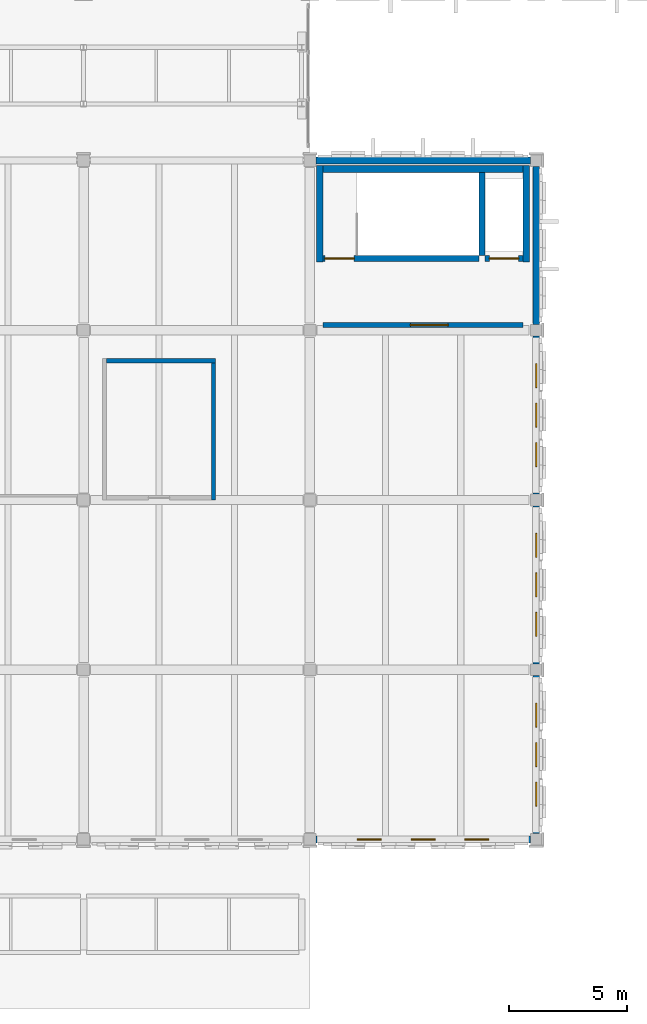
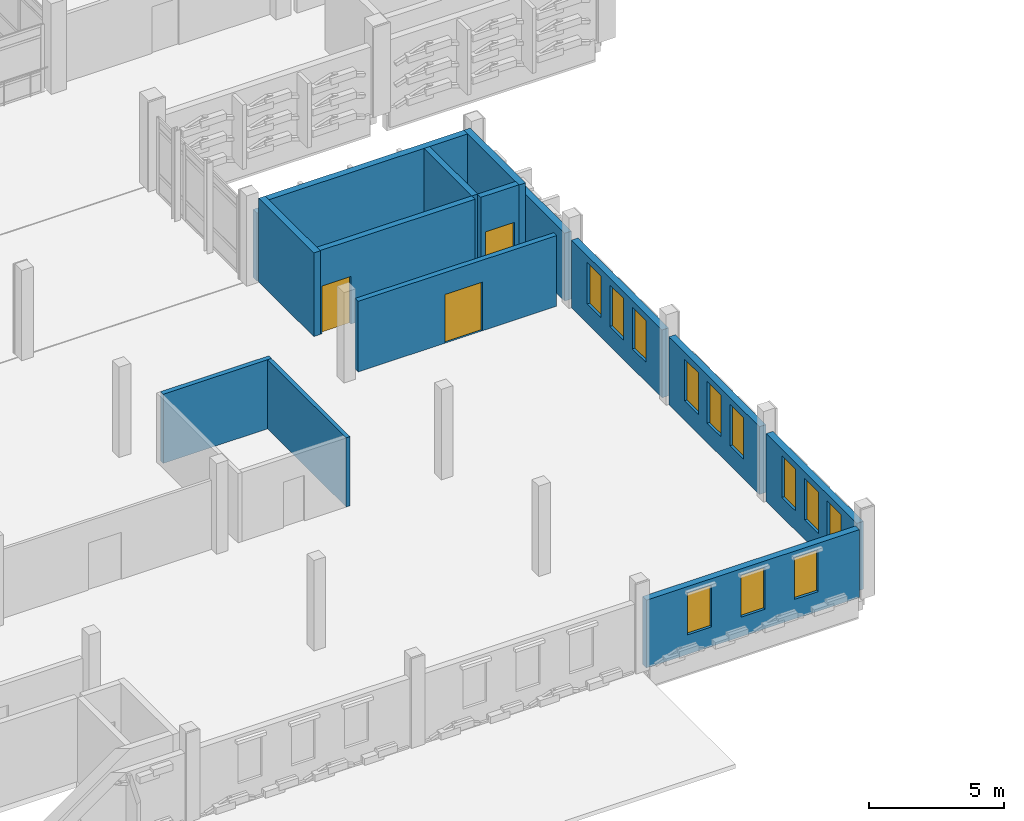
# One storey, part 54 of 72: 15 walls, 12 windows, 3 doors, 15 openings.
"""IFC4 building model written with IfcOpenShell, lengths in metres."""

from ifc_helpers import new_model, si_unit, direction, frame, frame_2d, origin, place, context, subcontext, project, spatial, rectangle, extrude, material, layer, layer_set, type_object, element, fill, save


model = new_model("IFC4")

# Units and contexts
model_context = context("Model", 3, precision=1e-05, world=origin(), true_north=direction((0.0, 1.0)))
body_context = subcontext(model_context, "Body", "Model", "MODEL_VIEW")
ifc_project = project(units=[si_unit("LENGTHUNIT", "METRE"), si_unit("AREAUNIT", "SQUARE_METRE"), si_unit("VOLUMEUNIT", "CUBIC_METRE"), si_unit("PLANEANGLEUNIT", "RADIAN"), si_unit("MASSUNIT", "GRAM", prefix="KILO")], contexts=[model_context])

# Site, building, storey
site_placement = place(None, origin())
site = spatial("IfcSite", under=ifc_project, at=site_placement, CompositionType="ELEMENT")
building_placement = place(site_placement, origin())
building = spatial("IfcBuilding", under=site, at=building_placement, Name="Asteropetra Specialist Clinic", CompositionType="ELEMENT")
storey_placement = place(building_placement, frame((0.0, 0.0, 12.580078125)))
storey = spatial("IfcBuildingStorey", under=building, at=storey_placement, Name="L03", CompositionType="ELEMENT", Elevation=12.580078125)

# Wall, openings, windows
ifc_material_1 = material(Name="Chevron limestone", Category="masonry")
ifc_layer_1 = layer(ifc_material_1, 0.284912109375)
ifc_layer_set_1 = layer_set([ifc_layer_1], Name="Chevron limestone")
wall_type_1 = type_object("IfcWallType", Name="EW-CHEV-OCH-285", PredefinedType="SOLIDWALL", material=ifc_layer_set_1)
wall_1_placement = place(storey_placement, frame((29.050048828125, 33.60009765625, 0.0), z_axis=(0.0, 0.0, 1.0), x_axis=(1.0, 0.0, 0.0)))
wall_1 = element("IfcWall", 1, at=wall_1_placement, inside=storey, type_object=wall_type_1, Name="Exterior Wall EW-0183", PredefinedType="SOLIDWALL", context=body_context, shape_type="SweptSolid", body=[
    extrude(rectangle(XDim=9.099853515625, YDim=0.284912109375, at=frame_2d((4.5498046875, 0.0))), origin(), (0.0, 0.0, 1.0), 3.059814453125),
])
opening_1_placement = place(wall_1_placement, frame((1.764892578125, 0.0, 0.8798828125)))
opening_1 = element("IfcOpeningElement", 2, at=opening_1_placement, cuts=wall_1, Name="Opening W-0131", PredefinedType="OPENING", context=body_context, shape_type="SweptSolid", body=[
    extrude(rectangle(XDim=1.02001953125, YDim=1.8798828125, at=frame_2d((0.510009765625, 0.93994140625))), frame((0.0, 0.15234375, 0.0), z_axis=(0.0, -1.0, 0.0), x_axis=(1.0, 0.0, 0.0)), (0.0, 0.0, 1.0), 0.304931640625),
])
opening_2_placement = place(wall_1_placement, frame((4.0400390625, 0.0, 0.8798828125)))
opening_2 = element("IfcOpeningElement", 3, at=opening_2_placement, cuts=wall_1, Name="Opening W-0132", PredefinedType="OPENING", context=body_context, shape_type="SweptSolid", body=[
    extrude(rectangle(XDim=1.02001953125, YDim=1.8798828125, at=frame_2d((0.510009765625, 0.93994140625))), frame((0.0, 0.15234375, 0.0), z_axis=(0.0, -1.0, 0.0), x_axis=(1.0, 0.0, 0.0)), (0.0, 0.0, 1.0), 0.304931640625),
])
opening_3_placement = place(wall_1_placement, frame((6.31494140625, 0.0, 0.8798828125)))
opening_3 = element("IfcOpeningElement", 4, at=opening_3_placement, cuts=wall_1, Name="Opening W-0133", PredefinedType="OPENING", context=body_context, shape_type="SweptSolid", body=[
    extrude(rectangle(XDim=1.02001953125, YDim=1.8798828125, at=frame_2d((0.510009765625, 0.93994140625))), frame((0.0, 0.15234375, 0.0), z_axis=(0.0, -1.0, 0.0), x_axis=(1.0, 0.0, 0.0)), (0.0, 0.0, 1.0), 0.304931640625),
])
ifc_material_2 = material(Name="Thermally broken bronze aluminium and low-E glass", Category="aluminium")
window_type = type_object("IfcWindowType", Name="WIN-T31", PartitioningType="SINGLE_PANEL", PredefinedType="WINDOW", material=ifc_material_2)
window_1_placement = place(opening_1_placement, origin())
window_1 = element("IfcWindow", 5, at=window_1_placement, inside=storey, type_object=window_type, Name="Window W-0131", OverallHeight=1.8798828125, OverallWidth=1.02001953125, PartitioningType="SINGLE_PANEL", PredefinedType="WINDOW", context=body_context, shape_type="SweptSolid", body=[
    extrude(rectangle(XDim=1.02001953125, YDim=1.8798828125, at=frame_2d((0.510009765625, 0.93994140625))), frame((0.0, 0.030029296875, 0.0), z_axis=(0.0, -1.0, 0.0), x_axis=(1.0, 0.0, 0.0)), (0.0, 0.0, 1.0), 0.06005859375),
])
fill(opening_1, window_1)
window_2_placement = place(opening_2_placement, origin())
window_2 = element("IfcWindow", 6, at=window_2_placement, inside=storey, type_object=window_type, Name="Window W-0132", OverallHeight=1.8798828125, OverallWidth=1.02001953125, PartitioningType="SINGLE_PANEL", PredefinedType="WINDOW", context=body_context, shape_type="SweptSolid", body=[
    extrude(rectangle(XDim=1.02001953125, YDim=1.8798828125, at=frame_2d((0.510009765625, 0.93994140625))), frame((0.0, 0.030029296875, 0.0), z_axis=(0.0, -1.0, 0.0), x_axis=(1.0, 0.0, 0.0)), (0.0, 0.0, 1.0), 0.06005859375),
])
fill(opening_2, window_2)
window_3_placement = place(opening_3_placement, origin())
window_3 = element("IfcWindow", 7, at=window_3_placement, inside=storey, type_object=window_type, Name="Window W-0133", OverallHeight=1.8798828125, OverallWidth=1.02001953125, PartitioningType="SINGLE_PANEL", PredefinedType="WINDOW", context=body_context, shape_type="SweptSolid", body=[
    extrude(rectangle(XDim=1.02001953125, YDim=1.8798828125, at=frame_2d((0.510009765625, 0.93994140625))), frame((0.0, 0.030029296875, 0.0), z_axis=(0.0, -1.0, 0.0), x_axis=(1.0, 0.0, 0.0)), (0.0, 0.0, 1.0), 0.06005859375),
])
fill(opening_3, window_3)

# Wall
wall_2_placement = place(storey_placement, frame((38.14990234375, 62.39990234375, 0.0), z_axis=(0.0, 0.0, 1.0), x_axis=(-1.0, 0.0, 0.0)))
element("IfcWall", 8, at=wall_2_placement, inside=storey, type_object=wall_type_1, Name="Exterior Wall EW-0184", PredefinedType="SOLIDWALL", context=body_context, shape_type="SweptSolid", body=[
    extrude(rectangle(XDim=9.099853515625, YDim=0.284912109375, at=frame_2d((4.5498046875, 0.0))), origin(), (0.0, 0.0, 1.0), 3.059814453125),
])

# Wall, openings, windows
wall_3_placement = place(storey_placement, frame((38.39990234375, 33.85009765625, 0.0), z_axis=(0.0, 0.0, 1.0), x_axis=(0.0, 1.0, 0.0)))
wall_3 = element("IfcWall", 9, at=wall_3_placement, inside=storey, type_object=wall_type_1, Name="Exterior Wall EW-0186", PredefinedType="SOLIDWALL", context=body_context, shape_type="SweptSolid", body=[
    extrude(rectangle(XDim=6.699951171875, YDim=0.284912109375, at=frame_2d((3.35009765625, 0.0))), origin(), (0.0, 0.0, 1.0), 3.059814453125),
])
opening_4_placement = place(wall_3_placement, frame((1.1650390625, 0.0, 0.8798828125)))
opening_4 = element("IfcOpeningElement", 10, at=opening_4_placement, cuts=wall_3, Name="Opening W-0134", PredefinedType="OPENING", context=body_context, shape_type="SweptSolid", body=[
    extrude(rectangle(XDim=1.02001953125, YDim=1.8798828125, at=frame_2d((0.510009765625, 0.93994140625))), frame((0.0, 0.15234375, 0.0), z_axis=(0.0, -1.0, 0.0), x_axis=(1.0, 0.0, 0.0)), (0.0, 0.0, 1.0), 0.304931640625),
])
opening_5_placement = place(wall_3_placement, frame((2.840087890625, 0.0, 0.8798828125)))
opening_5 = element("IfcOpeningElement", 11, at=opening_5_placement, cuts=wall_3, Name="Opening W-0135", PredefinedType="OPENING", context=body_context, shape_type="SweptSolid", body=[
    extrude(rectangle(XDim=1.02001953125, YDim=1.8798828125, at=frame_2d((0.510009765625, 0.93994140625))), frame((0.0, 0.15234375, 0.0), z_axis=(0.0, -1.0, 0.0), x_axis=(1.0, 0.0, 0.0)), (0.0, 0.0, 1.0), 0.304931640625),
])
opening_6_placement = place(wall_3_placement, frame((4.514892578125, 0.0, 0.8798828125)))
opening_6 = element("IfcOpeningElement", 12, at=opening_6_placement, cuts=wall_3, Name="Opening W-0136", PredefinedType="OPENING", context=body_context, shape_type="SweptSolid", body=[
    extrude(rectangle(XDim=1.02001953125, YDim=1.8798828125, at=frame_2d((0.510009765625, 0.93994140625))), frame((0.0, 0.15234375, 0.0), z_axis=(0.0, -1.0, 0.0), x_axis=(1.0, 0.0, 0.0)), (0.0, 0.0, 1.0), 0.304931640625),
])
window_4_placement = place(opening_4_placement, origin())
window_4 = element("IfcWindow", 13, at=window_4_placement, inside=storey, type_object=window_type, Name="Window W-0134", OverallHeight=1.8798828125, OverallWidth=1.02001953125, PartitioningType="SINGLE_PANEL", PredefinedType="WINDOW", context=body_context, shape_type="SweptSolid", body=[
    extrude(rectangle(XDim=1.02001953125, YDim=1.8798828125, at=frame_2d((0.510009765625, 0.93994140625))), frame((0.0, 0.030029296875, 0.0), z_axis=(0.0, -1.0, 0.0), x_axis=(1.0, 0.0, 0.0)), (0.0, 0.0, 1.0), 0.06005859375),
])
fill(opening_4, window_4)
window_5_placement = place(opening_5_placement, origin())
window_5 = element("IfcWindow", 14, at=window_5_placement, inside=storey, type_object=window_type, Name="Window W-0135", OverallHeight=1.8798828125, OverallWidth=1.02001953125, PartitioningType="SINGLE_PANEL", PredefinedType="WINDOW", context=body_context, shape_type="SweptSolid", body=[
    extrude(rectangle(XDim=1.02001953125, YDim=1.8798828125, at=frame_2d((0.510009765625, 0.93994140625))), frame((0.0, 0.030029296875, 0.0), z_axis=(0.0, -1.0, 0.0), x_axis=(1.0, 0.0, 0.0)), (0.0, 0.0, 1.0), 0.06005859375),
])
fill(opening_5, window_5)
window_6_placement = place(opening_6_placement, origin())
window_6 = element("IfcWindow", 15, at=window_6_placement, inside=storey, type_object=window_type, Name="Window W-0136", OverallHeight=1.8798828125, OverallWidth=1.02001953125, PartitioningType="SINGLE_PANEL", PredefinedType="WINDOW", context=body_context, shape_type="SweptSolid", body=[
    extrude(rectangle(XDim=1.02001953125, YDim=1.8798828125, at=frame_2d((0.510009765625, 0.93994140625))), frame((0.0, 0.030029296875, 0.0), z_axis=(0.0, -1.0, 0.0), x_axis=(1.0, 0.0, 0.0)), (0.0, 0.0, 1.0), 0.06005859375),
])
fill(opening_6, window_6)

wall_4_placement = place(storey_placement, frame((38.39990234375, 41.050048828125, 0.0), z_axis=(0.0, 0.0, 1.0), x_axis=(0.0, 1.0, 0.0)))
wall_4 = element("IfcWall", 16, at=wall_4_placement, inside=storey, type_object=wall_type_1, Name="Exterior Wall EW-0188", PredefinedType="SOLIDWALL", context=body_context, shape_type="SweptSolid", body=[
    extrude(rectangle(XDim=6.699951171875, YDim=0.284912109375, at=frame_2d((3.35009765625, 0.0))), origin(), (0.0, 0.0, 1.0), 3.059814453125),
])
opening_7_placement = place(wall_4_placement, frame((1.1650390625, 0.0, 0.8798828125)))
opening_7 = element("IfcOpeningElement", 17, at=opening_7_placement, cuts=wall_4, Name="Opening W-0140", PredefinedType="OPENING", context=body_context, shape_type="SweptSolid", body=[
    extrude(rectangle(XDim=1.02001953125, YDim=1.8798828125, at=frame_2d((0.510009765625, 0.93994140625))), frame((0.0, 0.15234375, 0.0), z_axis=(0.0, -1.0, 0.0), x_axis=(1.0, 0.0, 0.0)), (0.0, 0.0, 1.0), 0.304931640625),
])
opening_8_placement = place(wall_4_placement, frame((2.840087890625, 0.0, 0.8798828125)))
opening_8 = element("IfcOpeningElement", 18, at=opening_8_placement, cuts=wall_4, Name="Opening W-0141", PredefinedType="OPENING", context=body_context, shape_type="SweptSolid", body=[
    extrude(rectangle(XDim=1.02001953125, YDim=1.8798828125, at=frame_2d((0.510009765625, 0.93994140625))), frame((0.0, 0.15234375, 0.0), z_axis=(0.0, -1.0, 0.0), x_axis=(1.0, 0.0, 0.0)), (0.0, 0.0, 1.0), 0.304931640625),
])
opening_9_placement = place(wall_4_placement, frame((4.514892578125, 0.0, 0.8798828125)))
opening_9 = element("IfcOpeningElement", 19, at=opening_9_placement, cuts=wall_4, Name="Opening W-0142", PredefinedType="OPENING", context=body_context, shape_type="SweptSolid", body=[
    extrude(rectangle(XDim=1.02001953125, YDim=1.8798828125, at=frame_2d((0.510009765625, 0.93994140625))), frame((0.0, 0.15234375, 0.0), z_axis=(0.0, -1.0, 0.0), x_axis=(1.0, 0.0, 0.0)), (0.0, 0.0, 1.0), 0.304931640625),
])
window_7_placement = place(opening_7_placement, origin())
window_7 = element("IfcWindow", 20, at=window_7_placement, inside=storey, type_object=window_type, Name="Window W-0140", OverallHeight=1.8798828125, OverallWidth=1.02001953125, PartitioningType="SINGLE_PANEL", PredefinedType="WINDOW", context=body_context, shape_type="SweptSolid", body=[
    extrude(rectangle(XDim=1.02001953125, YDim=1.8798828125, at=frame_2d((0.510009765625, 0.93994140625))), frame((0.0, 0.030029296875, 0.0), z_axis=(0.0, -1.0, 0.0), x_axis=(1.0, 0.0, 0.0)), (0.0, 0.0, 1.0), 0.06005859375),
])
fill(opening_7, window_7)
window_8_placement = place(opening_8_placement, origin())
window_8 = element("IfcWindow", 21, at=window_8_placement, inside=storey, type_object=window_type, Name="Window W-0141", OverallHeight=1.8798828125, OverallWidth=1.02001953125, PartitioningType="SINGLE_PANEL", PredefinedType="WINDOW", context=body_context, shape_type="SweptSolid", body=[
    extrude(rectangle(XDim=1.02001953125, YDim=1.8798828125, at=frame_2d((0.510009765625, 0.93994140625))), frame((0.0, 0.030029296875, 0.0), z_axis=(0.0, -1.0, 0.0), x_axis=(1.0, 0.0, 0.0)), (0.0, 0.0, 1.0), 0.06005859375),
])
fill(opening_8, window_8)
window_9_placement = place(opening_9_placement, origin())
window_9 = element("IfcWindow", 22, at=window_9_placement, inside=storey, type_object=window_type, Name="Window W-0142", OverallHeight=1.8798828125, OverallWidth=1.02001953125, PartitioningType="SINGLE_PANEL", PredefinedType="WINDOW", context=body_context, shape_type="SweptSolid", body=[
    extrude(rectangle(XDim=1.02001953125, YDim=1.8798828125, at=frame_2d((0.510009765625, 0.93994140625))), frame((0.0, 0.030029296875, 0.0), z_axis=(0.0, -1.0, 0.0), x_axis=(1.0, 0.0, 0.0)), (0.0, 0.0, 1.0), 0.06005859375),
])
fill(opening_9, window_9)

wall_5_placement = place(storey_placement, frame((38.39990234375, 48.25, 0.0), z_axis=(0.0, 0.0, 1.0), x_axis=(0.0, 1.0, 0.0)))
wall_5 = element("IfcWall", 23, at=wall_5_placement, inside=storey, type_object=wall_type_1, Name="Exterior Wall EW-0190", PredefinedType="SOLIDWALL", context=body_context, shape_type="SweptSolid", body=[
    extrude(rectangle(XDim=6.699951171875, YDim=0.284912109375, at=frame_2d((3.35009765625, 0.0))), origin(), (0.0, 0.0, 1.0), 3.059814453125),
])
opening_10_placement = place(wall_5_placement, frame((1.1650390625, 0.0, 0.8798828125)))
opening_10 = element("IfcOpeningElement", 24, at=opening_10_placement, cuts=wall_5, Name="Opening W-0146", PredefinedType="OPENING", context=body_context, shape_type="SweptSolid", body=[
    extrude(rectangle(XDim=1.02001953125, YDim=1.8798828125, at=frame_2d((0.510009765625, 0.93994140625))), frame((0.0, 0.15234375, 0.0), z_axis=(0.0, -1.0, 0.0), x_axis=(1.0, 0.0, 0.0)), (0.0, 0.0, 1.0), 0.304931640625),
])
opening_11_placement = place(wall_5_placement, frame((2.840087890625, 0.0, 0.8798828125)))
opening_11 = element("IfcOpeningElement", 25, at=opening_11_placement, cuts=wall_5, Name="Opening W-0147", PredefinedType="OPENING", context=body_context, shape_type="SweptSolid", body=[
    extrude(rectangle(XDim=1.02001953125, YDim=1.8798828125, at=frame_2d((0.510009765625, 0.93994140625))), frame((0.0, 0.15234375, 0.0), z_axis=(0.0, -1.0, 0.0), x_axis=(1.0, 0.0, 0.0)), (0.0, 0.0, 1.0), 0.304931640625),
])
opening_12_placement = place(wall_5_placement, frame((4.514892578125, 0.0, 0.8798828125)))
opening_12 = element("IfcOpeningElement", 26, at=opening_12_placement, cuts=wall_5, Name="Opening W-0148", PredefinedType="OPENING", context=body_context, shape_type="SweptSolid", body=[
    extrude(rectangle(XDim=1.02001953125, YDim=1.8798828125, at=frame_2d((0.510009765625, 0.93994140625))), frame((0.0, 0.15234375, 0.0), z_axis=(0.0, -1.0, 0.0), x_axis=(1.0, 0.0, 0.0)), (0.0, 0.0, 1.0), 0.304931640625),
])
window_10_placement = place(opening_10_placement, origin())
window_10 = element("IfcWindow", 27, at=window_10_placement, inside=storey, type_object=window_type, Name="Window W-0146", OverallHeight=1.8798828125, OverallWidth=1.02001953125, PartitioningType="SINGLE_PANEL", PredefinedType="WINDOW", context=body_context, shape_type="SweptSolid", body=[
    extrude(rectangle(XDim=1.02001953125, YDim=1.8798828125, at=frame_2d((0.510009765625, 0.93994140625))), frame((0.0, 0.030029296875, 0.0), z_axis=(0.0, -1.0, 0.0), x_axis=(1.0, 0.0, 0.0)), (0.0, 0.0, 1.0), 0.06005859375),
])
fill(opening_10, window_10)
window_11_placement = place(opening_11_placement, origin())
window_11 = element("IfcWindow", 28, at=window_11_placement, inside=storey, type_object=window_type, Name="Window W-0147", OverallHeight=1.8798828125, OverallWidth=1.02001953125, PartitioningType="SINGLE_PANEL", PredefinedType="WINDOW", context=body_context, shape_type="SweptSolid", body=[
    extrude(rectangle(XDim=1.02001953125, YDim=1.8798828125, at=frame_2d((0.510009765625, 0.93994140625))), frame((0.0, 0.030029296875, 0.0), z_axis=(0.0, -1.0, 0.0), x_axis=(1.0, 0.0, 0.0)), (0.0, 0.0, 1.0), 0.06005859375),
])
fill(opening_11, window_11)
window_12_placement = place(opening_12_placement, origin())
window_12 = element("IfcWindow", 29, at=window_12_placement, inside=storey, type_object=window_type, Name="Window W-0148", OverallHeight=1.8798828125, OverallWidth=1.02001953125, PartitioningType="SINGLE_PANEL", PredefinedType="WINDOW", context=body_context, shape_type="SweptSolid", body=[
    extrude(rectangle(XDim=1.02001953125, YDim=1.8798828125, at=frame_2d((0.510009765625, 0.93994140625))), frame((0.0, 0.030029296875, 0.0), z_axis=(0.0, -1.0, 0.0), x_axis=(1.0, 0.0, 0.0)), (0.0, 0.0, 1.0), 0.06005859375),
])
fill(opening_12, window_12)

# Wall
wall_6_placement = place(storey_placement, frame((38.39990234375, 55.449951171875, 0.0), z_axis=(0.0, 0.0, 1.0), x_axis=(0.0, 1.0, 0.0)))
element("IfcWall", 30, at=wall_6_placement, inside=storey, type_object=wall_type_1, Name="Exterior Wall EW-0192", PredefinedType="SOLIDWALL", context=body_context, shape_type="SweptSolid", body=[
    extrude(rectangle(XDim=6.699951171875, YDim=0.284912109375, at=frame_2d((3.35009765625, 0.0))), origin(), (0.0, 0.0, 1.0), 3.059814453125),
])

# Wall, opening, door
ifc_material_3 = material(Name="Fire-rated masonry and gypsum", Category="masonry")
ifc_layer_2 = layer(ifc_material_3, 0.219970703125)
ifc_layer_set_2 = layer_set([ifc_layer_2], Name="Fire-rated masonry and gypsum")
wall_type_2 = type_object("IfcWallType", Name="W-COMP-220", PredefinedType="PARTITIONING", material=ifc_layer_set_2)
wall_7_placement = place(storey_placement, frame((29.360107421875, 55.419921875, 0.0), z_axis=(0.0, 0.0, 1.0), x_axis=(1.0, 0.0, 0.0)))
wall_7 = element("IfcWall", 31, at=wall_7_placement, inside=storey, type_object=wall_type_2, Name="Core Wall CW-C5-L03-LOB", PredefinedType="PARTITIONING", context=body_context, shape_type="SweptSolid", body=[
    extrude(rectangle(XDim=8.47998046875, YDim=0.219970703125, at=frame_2d((4.239990234375, 0.0))), origin(), (0.0, 0.0, 1.0), 3.18994140625),
])
opening_13_placement = place(wall_7_placement, frame((3.699951171875, 0.0, 0.0)))
opening_13 = element("IfcOpeningElement", 32, at=opening_13_placement, cuts=wall_7, Name="Opening FD-052", PredefinedType="OPENING", context=body_context, shape_type="SweptSolid", body=[
    extrude(rectangle(XDim=1.60009765625, YDim=2.199951171875, at=frame_2d((0.800048828125, 1.10009765625))), frame((0.0, 0.119873046875, 0.0), z_axis=(0.0, -1.0, 0.0), x_axis=(1.0, 0.0, 0.0)), (0.0, 0.0, 1.0), 0.239990234375),
])
ifc_material_4 = material(Name="Fire-rated steel and vision glass door", Category="steel")
door_type_1 = type_object("IfcDoorType", Name="FD-LOBBY-1600", OperationType="DOUBLE_DOOR_SINGLE_SWING", PredefinedType="DOOR", material=ifc_material_4)
door_1_placement = place(opening_13_placement, origin())
door_1 = element("IfcDoor", 33, at=door_1_placement, inside=storey, type_object=door_type_1, Name="Lobby Fire Door FD-052", OperationType="DOUBLE_DOOR_SINGLE_SWING", OverallHeight=2.199951171875, OverallWidth=1.60009765625, PredefinedType="DOOR", context=body_context, shape_type="SweptSolid", body=[
    extrude(rectangle(XDim=1.60009765625, YDim=2.199951171875, at=frame_2d((0.800048828125, 1.10009765625))), frame((0.0, 0.02490234375, 0.0), z_axis=(0.0, -1.0, 0.0), x_axis=(1.0, 0.0, 0.0)), (0.0, 0.0, 1.0), 0.050048828125),
])
fill(opening_13, door_1)

# Walls
ifc_material_5 = material(Name="Concrete C35/45", Category="concrete")
ifc_layer_3 = layer(ifc_material_5, 0.280029296875)
ifc_layer_set_3 = layer_set([ifc_layer_3], Name="Concrete C35/45")
wall_type_3 = type_object("IfcWallType", Name="W-CORE-280", PredefinedType="SHEAR", material=ifc_layer_set_3)
for number, where, z_axis, x_axis, name in (
    (34, (29.219970703125, 58.10009765625, 0.0), (0.0, 0.0, 1.0), (0.0, 1.0, 0.0), "Core Wall CW-C5-L03-W"),
    (35, (37.97998046875, 58.10009765625, 0.0), (0.0, 0.0, 1.0), (0.0, 1.0, 0.0), "Core Wall CW-C5-L03-E"),
):
    element("IfcWall", number, at=place(storey_placement, frame(where, z_axis=z_axis, x_axis=x_axis)), inside=storey, type_object=wall_type_3, Name=name, PredefinedType="SHEAR", context=body_context, shape_type="SweptSolid", body=[
        extrude(rectangle(XDim=4.079833984375, YDim=0.280029296875, at=frame_2d((2.0400390625, 0.0))), origin(), (0.0, 0.0, 1.0), 3.780029296875),
    ])
wall_8_placement = place(storey_placement, frame((29.35498046875, 62.0400390625, 0.0), z_axis=(0.0, 0.0, 1.0), x_axis=(1.0, 0.0, 0.0)))
element("IfcWall", 36, at=wall_8_placement, inside=storey, type_object=wall_type_3, Name="Core Wall CW-C5-L03-BACK", PredefinedType="SHEAR", context=body_context, shape_type="SweptSolid", body=[
    extrude(rectangle(XDim=8.489990234375, YDim=0.280029296875, at=frame_2d((4.2451171875, 0.0))), origin(), (0.0, 0.0, 1.0), 3.780029296875),
])
ifc_material_6 = material(Name="En-suite plumbing wall", Category="masonry")
ifc_layer_4 = layer(ifc_material_6, 0.169921875)
ifc_layer_set_4 = layer_set([ifc_layer_4], Name="En-suite plumbing wall")
wall_type_4 = type_object("IfcWallType", Name="W-PLUMB-170", PredefinedType="PLUMBINGWALL", material=ifc_layer_set_4)
wall_9_placement = place(storey_placement, frame((24.7099609375, 47.9951171875, 0.0), z_axis=(0.0, 0.0, 1.0), x_axis=(0.0, 1.0, 0.0)))
element("IfcWall", 37, at=wall_9_placement, inside=storey, type_object=wall_type_4, Name="Interior Partition PW-0141", PredefinedType="PLUMBINGWALL", context=body_context, shape_type="SweptSolid", body=[
    extrude(rectangle(XDim=5.81298828125, YDim=0.169921875, at=frame_2d((2.906494140625, 0.0))), origin(), (0.0, 0.0, 1.0), 3.119873046875),
])
ifc_material_7 = material(Name="Sanitary service-chase wall", Category="masonry")
ifc_layer_5 = layer(ifc_material_7, 0.199951171875)
ifc_layer_set_5 = layer_set([ifc_layer_5], Name="Sanitary service-chase wall")
wall_type_5 = type_object("IfcWallType", Name="W-PLUMB-200", PredefinedType="PLUMBINGWALL", material=ifc_layer_set_5)
wall_10_placement = place(storey_placement, frame((20.177001953125, 53.909912109375, 0.0), z_axis=(0.0, 0.0, 1.0), x_axis=(1.0, 0.0, 0.0)))
element("IfcWall", 38, at=wall_10_placement, inside=storey, type_object=wall_type_5, Name="Interior Partition PW-0140", PredefinedType="PLUMBINGWALL", context=body_context, shape_type="SweptSolid", body=[
    extrude(rectangle(XDim=4.6279296875, YDim=0.199951171875, at=frame_2d((2.31396484375, 0.0))), origin(), (0.0, 0.0, 1.0), 3.119873046875),
])
ifc_material_8 = material(Name="Concrete C35/45", Category="concrete")
ifc_layer_6 = layer(ifc_material_8, 0.25)
ifc_layer_set_6 = layer_set([ifc_layer_6], Name="Concrete C35/45")
wall_type_6 = type_object("IfcWallType", Name="W-SHAFT-250", PredefinedType="SHEAR", material=ifc_layer_set_6)
wall_11_placement = place(storey_placement, frame((36.10009765625, 58.360107421875, 0.0), z_axis=(0.0, 0.0, 1.0), x_axis=(0.0, 1.0, 0.0)))
element("IfcWall", 39, at=wall_11_placement, inside=storey, type_object=wall_type_6, Name="Core Wall CW-C5-L03-MID", PredefinedType="SHEAR", context=body_context, shape_type="SweptSolid", body=[
    extrude(rectangle(XDim=3.539794921875, YDim=0.25, at=frame_2d((1.77001953125, 0.0))), origin(), (0.0, 0.0, 1.0), 3.780029296875),
])

# Wall, opening, door
wall_12_placement = place(storey_placement, frame((29.35498046875, 58.239990234375, 0.0), z_axis=(0.0, 0.0, 1.0), x_axis=(1.0, 0.0, 0.0)))
wall_12 = element("IfcWall", 40, at=wall_12_placement, inside=storey, type_object=wall_type_6, Name="Core Wall CW-C5-L03-STDIV", PredefinedType="SHEAR", context=body_context, shape_type="SweptSolid", body=[
    extrude(rectangle(XDim=6.625, YDim=0.25, at=frame_2d((3.3125, 0.0))), origin(), (0.0, 0.0, 1.0), 3.780029296875),
])
opening_14_placement = place(wall_12_placement, frame((0.080078125, 0.0, 0.0)))
opening_14 = element("IfcOpeningElement", 41, at=opening_14_placement, cuts=wall_12, Name="Opening FD-051", PredefinedType="OPENING", context=body_context, shape_type="SweptSolid", body=[
    extrude(rectangle(XDim=1.239990234375, YDim=2.14990234375, at=frame_2d((0.6201171875, 1.074951171875))), frame((0.0, 0.135009765625, 0.0), z_axis=(0.0, -1.0, 0.0), x_axis=(1.0, 0.0, 0.0)), (0.0, 0.0, 1.0), 0.27001953125),
])
ifc_material_9 = material(Name="Fire-rated steel and vision glass door", Category="steel")
door_type_2 = type_object("IfcDoorType", Name="FD-STAIR-1400", OperationType="DOUBLE_DOOR_SINGLE_SWING", PredefinedType="DOOR", material=ifc_material_9)
door_2_placement = place(opening_14_placement, origin())
door_2 = element("IfcDoor", 42, at=door_2_placement, inside=storey, type_object=door_type_2, Name="Stair Fire Door FD-051", OperationType="DOUBLE_DOOR_SINGLE_SWING", OverallHeight=2.14990234375, OverallWidth=1.239990234375, PredefinedType="DOOR", context=body_context, shape_type="SweptSolid", body=[
    extrude(rectangle(XDim=1.239990234375, YDim=2.14990234375, at=frame_2d((0.6201171875, 1.074951171875))), frame((0.0, 0.02490234375, 0.0), z_axis=(0.0, -1.0, 0.0), x_axis=(1.0, 0.0, 0.0)), (0.0, 0.0, 1.0), 0.050048828125),
])
fill(opening_14, door_2)

wall_13_placement = place(storey_placement, frame((36.219970703125, 58.239990234375, 0.0), z_axis=(0.0, 0.0, 1.0), x_axis=(1.0, 0.0, 0.0)))
wall_13 = element("IfcWall", 43, at=wall_13_placement, inside=storey, type_object=wall_type_6, Name="Lift Shaft Front Wall CW-C5-L03-LFTF", PredefinedType="SHEAR", context=body_context, shape_type="SweptSolid", body=[
    extrude(rectangle(XDim=1.625, YDim=0.25, at=frame_2d((0.8125, 0.0))), origin(), (0.0, 0.0, 1.0), 3.780029296875),
])
opening_15_placement = place(wall_13_placement, frame((0.1875, 0.0, 0.0)))
opening_15 = element("IfcOpeningElement", 44, at=opening_15_placement, cuts=wall_13, Name="Opening LD-026", PredefinedType="OPENING", context=body_context, shape_type="SweptSolid", body=[
    extrude(rectangle(XDim=1.25, YDim=2.14990234375, at=frame_2d((0.625, 1.074951171875))), frame((0.0, 0.135009765625, 0.0), z_axis=(0.0, -1.0, 0.0), x_axis=(1.0, 0.0, 0.0)), (0.0, 0.0, 1.0), 0.27001953125),
])
ifc_material_10 = material(Name="Brushed stainless steel sliding lift landing door", Category="steel")
door_type_3 = type_object("IfcDoorType", Name="LD-SERV-1250", OperationType="DOUBLE_DOOR_SLIDING", PredefinedType="DOOR", material=ifc_material_10)
door_3_placement = place(opening_15_placement, origin())
door_3 = element("IfcDoor", 45, at=door_3_placement, inside=storey, type_object=door_type_3, Name="Lift Landing Door LD-026", OperationType="DOUBLE_DOOR_SLIDING", OverallHeight=2.14990234375, OverallWidth=1.25, PredefinedType="DOOR", context=body_context, shape_type="SweptSolid", body=[
    extrude(rectangle(XDim=1.25, YDim=2.14990234375, at=frame_2d((0.625, 1.074951171875))), frame((0.0, 0.02490234375, 0.0), z_axis=(0.0, -1.0, 0.0), x_axis=(1.0, 0.0, 0.0)), (0.0, 0.0, 1.0), 0.050048828125),
])
fill(opening_15, door_3)

save(model, "model.ifc")
